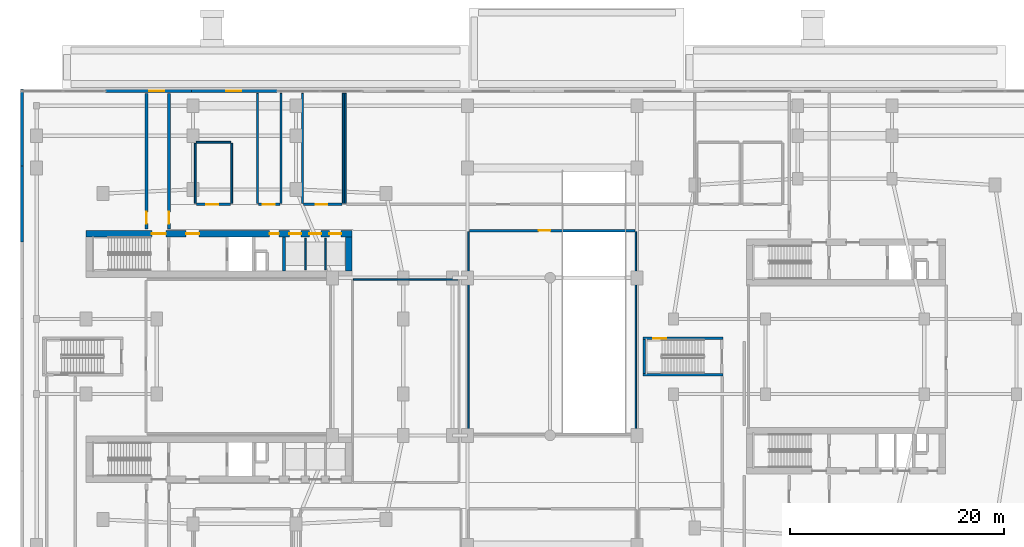
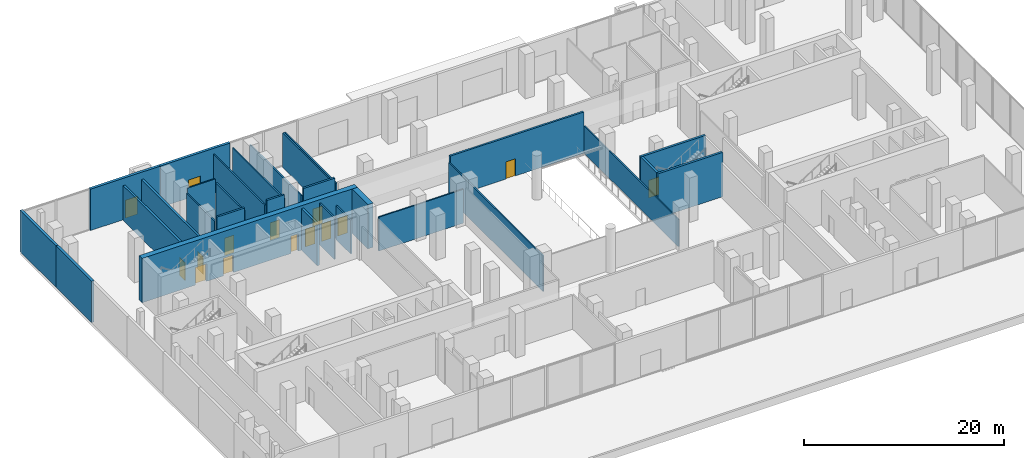
# One storey, part 14 of 24: 29 walls, 15 doors, 15 openings.
"""IFC4 building model written with IfcOpenShell, lengths in metres."""

import ifcopenshell
import ifcopenshell.guid

model = None  # the IFC model being written
_history = None  # IfcOwnerHistory: only IFC2X3 demands one
_inside = {}  # id of a spatial element -> (the spatial element, [elements in it])
_under = {}  # id of a project, library or spatial element -> (it, [spatial elements below it])
_declared = {}  # id of a project -> (the project, [libraries it declares])
_typed = {}  # id of a type object -> (the type object, [elements of that type])
_made_of = {}  # id of a material, layer set ... -> (it, [elements and type objects made of it])


def new_model(schema):
    """Start an empty IFC model of exactly this schema.

    Asked for "IFC4X3", IfcOpenShell would pick the latest addendum, in which some entities
    have other attributes; the version numbers below select the first issue.
    IFC2X3 requires an IfcOwnerHistory on every rooted entity: one is made here for all.
    """
    global model, _history
    if schema == "IFC4X3":
        model = ifcopenshell.file(schema_version=(4, 3, 0, 0))
    else:
        model = ifcopenshell.file(schema=schema)
    _inside.clear()
    _under.clear()
    _declared.clear()
    _typed.clear()
    _made_of.clear()
    _history = None
    if model.schema == "IFC2X3":
        org = make("IfcOrganization", Name="unknown")
        user = make(
            "IfcPersonAndOrganization",
            ThePerson=make("IfcPerson", FamilyName="unknown"),
            TheOrganization=org,
        )
        app = make(
            "IfcApplication",
            ApplicationDeveloper=org,
            Version="unknown",
            ApplicationFullName="unknown",
            ApplicationIdentifier="unknown",
        )
        _history = make(
            "IfcOwnerHistory",
            OwningUser=user,
            OwningApplication=app,
            ChangeAction="ADDED",
            CreationDate=0,
        )
    return model


def make(cls, **values):
    """One entity of the class cls with the attributes given. An attribute that is None is left unset."""
    return model.create_entity(
        cls, **{name: value for name, value in values.items() if value is not None}
    )


def rooted(cls, **values):
    """An entity with a GlobalId (a new one), such as an element, a storey or a relation."""
    return make(cls, GlobalId=ifcopenshell.guid.new(), OwnerHistory=_history, **values)


def si_unit(unit_type, name, prefix=None):
    """IfcSIUnit, for example si_unit("LENGTHUNIT", "METRE", prefix="MILLI")."""
    return make("IfcSIUnit", UnitType=unit_type, Prefix=prefix, Name=name)


def derived_unit(unit_type, elements):
    """IfcDerivedUnit: a product of units, each with its exponent."""
    return make(
        "IfcDerivedUnit",
        Elements=[
            make("IfcDerivedUnitElement", Unit=unit, Exponent=power)
            for unit, power in elements
        ],
        UnitType=unit_type,
    )


def assignment(units):
    """IfcUnitAssignment: the units of a project."""
    return None if units is None else make("IfcUnitAssignment", Units=units)


def point(xyz):
    """IfcCartesianPoint."""
    return None if xyz is None else make("IfcCartesianPoint", Coordinates=xyz)


def direction(xyz):
    """IfcDirection."""
    return None if xyz is None else make("IfcDirection", DirectionRatios=xyz)


def frame(location, z_axis=None, x_axis=None):
    """IfcAxis2Placement3D, a coordinate frame: its origin and axes. An axis left out is left unset."""
    return make(
        "IfcAxis2Placement3D",
        Location=point(location),
        Axis=direction(z_axis),
        RefDirection=direction(x_axis),
    )


def frame_2d(location, x_axis=None):
    """IfcAxis2Placement2D, a coordinate frame in the plane: its origin and x axis."""
    return make(
        "IfcAxis2Placement2D", Location=point(location), RefDirection=direction(x_axis)
    )


def origin():
    """The frame at (0, 0, 0) with its axes left unset."""
    return frame((0.0, 0.0, 0.0))


def place(relative_to, where):
    """IfcLocalPlacement: puts the frame where relative to a parent placement (None: the world)."""
    return make(
        "IfcLocalPlacement", PlacementRelTo=relative_to, RelativePlacement=where
    )


def context(
    kind, dimensions, precision=None, world=None, true_north=None, identifier=None
):
    """IfcGeometricRepresentationContext, for example the 3D "Model" context."""
    return make(
        "IfcGeometricRepresentationContext",
        ContextIdentifier=identifier,
        ContextType=kind,
        CoordinateSpaceDimension=dimensions,
        Precision=precision,
        WorldCoordinateSystem=world,
        TrueNorth=true_north,
    )


def subcontext(parent, identifier, kind, view, scale=None):
    """IfcGeometricRepresentationSubContext, for example "Body" below "Model"."""
    return make(
        "IfcGeometricRepresentationSubContext",
        ContextIdentifier=identifier,
        ContextType=kind,
        ParentContext=parent,
        TargetScale=scale,
        TargetView=view,
    )


def project(units=None, contexts=None):
    """IfcProject with its units and contexts."""
    return rooted(
        "IfcProject",
        Name="project",
        RepresentationContexts=contexts,
        UnitsInContext=assignment(units),
    )


def spatial(cls, under=None, at=None, **own):
    """A site, building, storey or space (cls), placed at a placement, below another one or the project."""
    s = rooted(cls, ObjectPlacement=at, **own)
    if under is not None:
        _under.setdefault(under.id(), (under, []))[1].append(s)
    return s


def profile(cls, at=None, kind="AREA", **sizes):
    """A parametric profile (cls). Its sizes go by their IFC names, for example OverallWidth=200.0."""
    return make(cls, ProfileType=kind, Position=at, **sizes)


def rectangle(**sizes):
    """IfcRectangleProfileDef."""
    return profile("IfcRectangleProfileDef", **sizes)


def extrude(swept, where, along, depth):
    """IfcExtrudedAreaSolid: the profile swept, set in the frame where, extruded along a direction by depth."""
    return make(
        "IfcExtrudedAreaSolid",
        SweptArea=swept,
        Position=where,
        ExtrudedDirection=direction(along),
        Depth=depth,
    )


def shape(context_of_items, identifier, shape_type, items):
    """IfcShapeRepresentation: the items that make up one representation, for example the "Body"."""
    return make(
        "IfcShapeRepresentation",
        ContextOfItems=context_of_items,
        RepresentationIdentifier=identifier,
        RepresentationType=shape_type,
        Items=items,
    )


def material(Name=None, Category=None):
    """IfcMaterial."""
    return make("IfcMaterial", Name=Name, Category=Category)


def layer(
    of_material, thickness, ventilated=None, Name=None, Category=None, Priority=None
):
    """IfcMaterialLayer: one layer of a wall or slab, of a material (None: an air gap)."""
    return make(
        "IfcMaterialLayer",
        Material=of_material,
        LayerThickness=thickness,
        IsVentilated=ventilated,
        Name=Name,
        Category=Category,
        Priority=Priority,
    )


def layer_set(layers, Name=None):
    """IfcMaterialLayerSet."""
    return make("IfcMaterialLayerSet", MaterialLayers=layers, LayerSetName=Name)


def made_of(thing, what):
    """Note that an element or type object is made of a material, layer set ...; save() writes the relation."""
    if what is not None:
        _made_of.setdefault(what.id(), (what, []))[1].append(thing)
    return thing


def type_object(cls, material=None, **own):
    """A type object (cls), such as IfcWallType, which elements share."""
    return made_of(rooted(cls, **own), material)


def element(
    cls,
    number,
    at=None,
    inside=None,
    cuts=None,
    type_object=None,
    material=None,
    context=None,
    identifier="Body",
    shape_type=None,
    held_by="IfcProductDefinitionShape",
    body=None,
    shapes=None,
    **own,
):
    """One element of the class cls, such as IfcWall. Its Tag is "e" and its number.

    at: its placement. inside: the storey or other place that contains it. cuts: it is an
    opening in that element (IfcRelVoidsElement). A single representation is given by context,
    identifier, shape_type and body (its items); several are given by shapes. held_by: the class
    of the entity that holds the representations. save() writes the other relations.
    """
    e = rooted(cls, Tag="e%d" % number, ObjectPlacement=at, **own)
    if body is not None:
        shapes = [shape(context, identifier, shape_type, body)]
    if shapes is not None:
        e.Representation = make(held_by, Representations=shapes)
    if inside is not None:
        _inside.setdefault(inside.id(), (inside, []))[1].append(e)
    if cuts is not None:
        rooted(
            "IfcRelVoidsElement", RelatingBuildingElement=cuts, RelatedOpeningElement=e
        )
    if type_object is not None:
        _typed.setdefault(type_object.id(), (type_object, []))[1].append(e)
    return made_of(e, material)


def fill(opening, filler):
    """IfcRelFillsElement: the door or window that sits in an opening."""
    return rooted(
        "IfcRelFillsElement",
        RelatingOpeningElement=opening,
        RelatedBuildingElement=filler,
    )


def aggregate(whole, parts):
    """IfcRelAggregates: a whole, such as a stair, and the parts it consists of."""
    return rooted("IfcRelAggregates", RelatingObject=whole, RelatedObjects=parts)


def save(model, path):
    """Write the relations noted so far, then the file.

    IfcRelAggregates (storeys below a building ...), IfcRelContainedInSpatialStructure (elements
    in a storey), IfcRelDefinesByType, IfcRelAssociatesMaterial and IfcRelDeclares: one each for
    every whole, place, type object, material and project.
    """
    for whole, parts in _under.values():
        aggregate(whole, parts)
    for where, things in _inside.values():
        rooted(
            "IfcRelContainedInSpatialStructure",
            RelatedElements=things,
            RelatingStructure=where,
        )
    for kind, things in _typed.values():
        rooted("IfcRelDefinesByType", RelatedObjects=things, RelatingType=kind)
    for what, things in _made_of.values():
        rooted("IfcRelAssociatesMaterial", RelatedObjects=things, RelatingMaterial=what)
    for by, libraries in _declared.values():
        rooted("IfcRelDeclares", RelatingContext=by, RelatedDefinitions=libraries)
    model.write(path)


model = new_model("IFC4")

# Units and contexts
model_context = context("Model", 3, precision=1e-05, world=origin(), true_north=direction((0.0, 1.0)))
body_context = subcontext(model_context, "Body", "Model", "MODEL_VIEW")
ifc_project = project(units=[si_unit("LENGTHUNIT", "METRE"), si_unit("AREAUNIT", "SQUARE_METRE"), si_unit("VOLUMEUNIT", "CUBIC_METRE"), si_unit("PLANEANGLEUNIT", "RADIAN"), si_unit("MASSUNIT", "GRAM", prefix="KILO"), derived_unit("THERMALTRANSMITTANCEUNIT", [(si_unit("POWERUNIT", "WATT"), 1), (si_unit("LENGTHUNIT", "METRE"), -2), (si_unit("THERMODYNAMICTEMPERATUREUNIT", "KELVIN"), -1)])], contexts=[model_context])

# Site, building, storey
site_placement = place(None, origin())
site = spatial("IfcSite", under=ifc_project, at=site_placement, CompositionType="ELEMENT")
building_placement = place(site_placement, origin())
building = spatial("IfcBuilding", under=site, at=building_placement, Name="Kivonza Crest Hotel", CompositionType="ELEMENT")
storey_placement = place(building_placement, origin())
storey = spatial("IfcBuildingStorey", under=building, at=storey_placement, Name="L00", CompositionType="ELEMENT", Elevation=0.0)

# Wall, opening, door
ifc_material_1 = material(Name="Autoclaved aerated concrete blockwork", Category="masonry")
ifc_layer_1 = layer(ifc_material_1, 0.219970703125)
ifc_layer_set_1 = layer_set([ifc_layer_1], Name="Autoclaved aerated concrete blockwork")
wall_type_1 = type_object("IfcWallType", Name="WL-ACOU-220", PredefinedType="SOLIDWALL", material=ifc_layer_set_1)
wall_1_placement = place(storey_placement, frame((22.300048828125, 39.199951171875, 0.0), z_axis=(0.0, 0.0, 1.0), x_axis=(1.0, 0.0, 0.0)))
wall_1 = element("IfcWall", 1, at=wall_1_placement, inside=storey, type_object=wall_type_1, Name="L00 interior partition WA-L00-FCR-S", PredefinedType="SOLIDWALL", context=body_context, shape_type="SweptSolid", body=[
    extrude(rectangle(XDim=2.0, YDim=0.219970703125, at=frame_2d((1.0, 0.0))), origin(), (0.0, 0.0, 1.0), 5.050048828125),
])
opening_1_placement = place(wall_1_placement, frame((0.39501953125, 0.0, 0.0)))
opening_1 = element("IfcOpeningElement", 2, at=opening_1_placement, cuts=wall_1, Name="Opening DF-120", PredefinedType="OPENING", context=body_context, shape_type="SweptSolid", body=[
    extrude(rectangle(XDim=1.10009765625, YDim=2.14990234375, at=frame_2d((0.550048828125, 1.074951171875))), frame((0.0, 0.1201171875, 0.0), z_axis=(0.0, -1.0, 0.0), x_axis=(1.0, 0.0, 0.0)), (0.0, 0.0, 1.0), 0.239990234375),
])
ifc_material_2 = material(Name="Galvanised steel", Category="steel")
door_type_1 = type_object("IfcDoorType", Name="DR-FD120-1100", OperationType="NOTDEFINED", PredefinedType="DOOR", material=ifc_material_2)
door_1_placement = place(opening_1_placement, origin())
door_1 = element("IfcDoor", 3, at=door_1_placement, inside=storey, type_object=door_type_1, Name="L00 Fire Command Room door", OperationType="SINGLE_SWING_RIGHT", OverallHeight=2.14990234375, OverallWidth=1.10009765625, PredefinedType="DOOR", context=body_context, shape_type="SweptSolid", body=[
    extrude(rectangle(XDim=1.10009765625, YDim=2.14990234375, at=frame_2d((0.550048828125, 1.074951171875))), frame((0.0, 0.02490234375, 0.0), z_axis=(0.0, -1.0, 0.0), x_axis=(1.0, 0.0, 0.0)), (0.0, 0.0, 1.0), 0.050048828125),
])
fill(opening_1, door_1)

wall_2_placement = place(storey_placement, frame((42.0, 36.75, 0.0), z_axis=(0.0, 0.0, 1.0), x_axis=(1.0, 0.0, 0.0)))
wall_2 = element("IfcWall", 4, at=wall_2_placement, inside=storey, type_object=wall_type_1, Name="L00 interior partition WA-L00-CONC-M-N", PredefinedType="SOLIDWALL", context=body_context, shape_type="SweptSolid", body=[
    extrude(rectangle(XDim=15.39990234375, YDim=0.219970703125, at=frame_2d((7.699951171875, 0.0))), origin(), (0.0, 0.0, 1.0), 5.050048828125),
])
opening_2_placement = place(wall_2_placement, frame((6.425048828125, 0.0, 0.0)))
opening_2 = element("IfcOpeningElement", 5, at=opening_2_placement, cuts=wall_2, Name="Opening DF-60M", PredefinedType="OPENING", context=body_context, shape_type="SweptSolid", body=[
    extrude(rectangle(XDim=1.10009765625, YDim=2.10009765625, at=frame_2d((0.550048828125, 1.050048828125))), frame((0.0, 0.1201171875, 0.0), z_axis=(0.0, -1.0, 0.0), x_axis=(1.0, 0.0, 0.0)), (0.0, 0.0, 1.0), 0.239990234375),
])
ifc_material_3 = material(Name="Hardwood timber oak", Category="wood")
door_type_2 = type_object("IfcDoorType", Name="DR-FD60-1100", OperationType="NOTDEFINED", PredefinedType="DOOR", material=ifc_material_3)
door_2_placement = place(opening_2_placement, frame((1.10009765625, 0.0, 0.0), z_axis=(0.0, 0.0, 1.0), x_axis=(-1.0, 0.0, 0.0)))
door_2 = element("IfcDoor", 6, at=door_2_placement, inside=storey, type_object=door_type_2, Name="L00 Podium Central Retail Concourse door", OperationType="SINGLE_SWING_RIGHT", OverallHeight=2.10009765625, OverallWidth=1.10009765625, PredefinedType="DOOR", context=body_context, shape_type="SweptSolid", body=[
    extrude(rectangle(XDim=1.10009765625, YDim=2.10009765625, at=frame_2d((0.550048828125, 1.050048828125))), frame((0.0, 0.02490234375, 0.0), z_axis=(0.0, -1.0, 0.0), x_axis=(1.0, 0.0, 0.0)), (0.0, 0.0, 1.0), 0.050048828125),
])
fill(opening_2, door_2)

wall_3_placement = place(storey_placement, frame((26.5, 39.199951171875, 0.0), z_axis=(0.0, 0.0, 1.0), x_axis=(1.0, 0.0, 0.0)))
wall_3 = element("IfcWall", 7, at=wall_3_placement, inside=storey, type_object=wall_type_1, Name="L00 interior partition WA-L00-LUG-S", PredefinedType="SOLIDWALL", context=body_context, shape_type="SweptSolid", body=[
    extrude(rectangle(XDim=3.60009765625, YDim=0.219970703125, at=frame_2d((1.800048828125, 0.0))), origin(), (0.0, 0.0, 1.0), 5.050048828125),
])
opening_3_placement = place(wall_3_placement, frame((1.114990234375, 0.0, 0.0)))
opening_3 = element("IfcOpeningElement", 8, at=opening_3_placement, cuts=wall_3, Name="Opening DF-60M", PredefinedType="OPENING", context=body_context, shape_type="SweptSolid", body=[
    extrude(rectangle(XDim=1.10009765625, YDim=2.10009765625, at=frame_2d((0.550048828125, 1.050048828125))), frame((0.0, 0.1201171875, 0.0), z_axis=(0.0, -1.0, 0.0), x_axis=(1.0, 0.0, 0.0)), (0.0, 0.0, 1.0), 0.239990234375),
])
door_3_placement = place(opening_3_placement, origin())
door_3 = element("IfcDoor", 9, at=door_3_placement, inside=storey, type_object=door_type_2, Name="L00 Concierge and Luggage Room door", OperationType="SINGLE_SWING_RIGHT", OverallHeight=2.10009765625, OverallWidth=1.10009765625, PredefinedType="DOOR", context=body_context, shape_type="SweptSolid", body=[
    extrude(rectangle(XDim=1.10009765625, YDim=2.10009765625, at=frame_2d((0.550048828125, 1.050048828125))), frame((0.0, 0.02490234375, 0.0), z_axis=(0.0, -1.0, 0.0), x_axis=(1.0, 0.0, 0.0)), (0.0, 0.0, 1.0), 0.050048828125),
])
fill(opening_3, door_3)

wall_4_placement = place(storey_placement, frame((16.5, 39.199951171875, 0.0), z_axis=(0.0, 0.0, 1.0), x_axis=(1.0, 0.0, 0.0)))
wall_4 = element("IfcWall", 10, at=wall_4_placement, inside=storey, type_object=wall_type_1, Name="L00 interior partition WA-L00-AWC-S", PredefinedType="SOLIDWALL", context=body_context, shape_type="SweptSolid", body=[
    extrude(rectangle(XDim=3.199951171875, YDim=0.219970703125, at=frame_2d((1.60009765625, 0.0))), origin(), (0.0, 0.0, 1.0), 5.050048828125),
])
opening_4_placement = place(wall_4_placement, frame((0.93505859375, 0.0, 0.0)))
opening_4 = element("IfcOpeningElement", 11, at=opening_4_placement, cuts=wall_4, Name="Opening DF-60M", PredefinedType="OPENING", context=body_context, shape_type="SweptSolid", body=[
    extrude(rectangle(XDim=1.10009765625, YDim=2.10009765625, at=frame_2d((0.550048828125, 1.050048828125))), frame((0.0, 0.1201171875, 0.0), z_axis=(0.0, -1.0, 0.0), x_axis=(1.0, 0.0, 0.0)), (0.0, 0.0, 1.0), 0.239990234375),
])
door_4_placement = place(opening_4_placement, origin())
door_4 = element("IfcDoor", 12, at=door_4_placement, inside=storey, type_object=door_type_2, Name="L00 Ground Public Accessible WC door", OperationType="SINGLE_SWING_LEFT", OverallHeight=2.10009765625, OverallWidth=1.10009765625, PredefinedType="DOOR", context=body_context, shape_type="SweptSolid", body=[
    extrude(rectangle(XDim=1.10009765625, YDim=2.10009765625, at=frame_2d((0.550048828125, 1.050048828125))), frame((0.0, 0.02490234375, 0.0), z_axis=(0.0, -1.0, 0.0), x_axis=(1.0, 0.0, 0.0)), (0.0, 0.0, 1.0), 0.050048828125),
])
fill(opening_4, door_4)

# Wall, openings, doors
ifc_material_4 = material(Name="Concrete C60/75", Category="concrete")
ifc_layer_2 = layer(ifc_material_4, 0.60009765625)
ifc_layer_set_2 = layer_set([ifc_layer_2], Name="Concrete C60/75")
wall_type_2 = type_object("IfcWallType", Name="WL-CORE-600", PredefinedType="SHEAR", material=ifc_layer_set_2)
wall_5_placement = place(storey_placement, frame((6.199951171875, 36.4599609375, 0.0), z_axis=(0.0, 0.0, 1.0), x_axis=(1.0, 0.0, 0.0)))
wall_5 = element("IfcWall", 13, at=wall_5_placement, inside=storey, type_object=wall_type_2, Name="Core wall T1-N North L00", PredefinedType="SHEAR", context=body_context, shape_type="SweptSolid", body=[
    extrude(rectangle(XDim=24.800048828125, YDim=0.60009765625, at=frame_2d((12.39990234375, 0.0))), origin(), (0.0, 0.0, 1.0), 5.39990234375),
])
opening_5_placement = place(wall_5_placement, frame((9.35009765625, 0.0, 0.0)))
opening_5 = element("IfcOpeningElement", 14, at=opening_5_placement, cuts=wall_5, Name="Opening DF-60", PredefinedType="OPENING", context=body_context, shape_type="SweptSolid", body=[
    extrude(rectangle(XDim=1.199951171875, YDim=2.14990234375, at=frame_2d((0.60009765625, 1.074951171875))), frame((0.0, 0.31005859375, 0.0), z_axis=(0.0, -1.0, 0.0), x_axis=(1.0, 0.0, 0.0)), (0.0, 0.0, 1.0), 0.6201171875),
])
opening_6_placement = place(wall_5_placement, frame((6.14990234375, 0.0, 0.0)))
opening_6 = element("IfcOpeningElement", 15, at=opening_6_placement, cuts=wall_5, Name="Opening DF-120D", PredefinedType="OPENING", context=body_context, shape_type="SweptSolid", body=[
    extrude(rectangle(XDim=1.300048828125, YDim=2.14990234375, at=frame_2d((0.64990234375, 1.074951171875))), frame((0.0, 0.31005859375, 0.0), z_axis=(0.0, -1.0, 0.0), x_axis=(1.0, 0.0, 0.0)), (0.0, 0.0, 1.0), 0.6201171875),
])
opening_7_placement = place(wall_5_placement, frame((17.139892578125, 0.0, 0.0)))
opening_7 = element("IfcOpeningElement", 16, at=opening_7_placement, cuts=wall_5, Name="Opening DF-60R", PredefinedType="OPENING", context=body_context, shape_type="SweptSolid", body=[
    extrude(rectangle(XDim=0.85009765625, YDim=2.10009765625, at=frame_2d((0.425048828125, 1.050048828125))), frame((0.0, 0.31005859375, 0.0), z_axis=(0.0, -1.0, 0.0), x_axis=(1.0, 0.0, 0.0)), (0.0, 0.0, 1.0), 0.6201171875),
])
opening_8_placement = place(wall_5_placement, frame((18.98291015625, 0.0, 0.0)))
opening_8 = element("IfcOpeningElement", 17, at=opening_8_placement, cuts=wall_5, Name="Opening LD-120", PredefinedType="OPENING", context=body_context, shape_type="SweptSolid", body=[
    extrude(rectangle(XDim=1.10009765625, YDim=2.14990234375, at=frame_2d((0.550048828125, 1.074951171875))), frame((0.0, 0.31005859375, 0.0), z_axis=(0.0, -1.0, 0.0), x_axis=(1.0, 0.0, 0.0)), (0.0, 0.0, 1.0), 0.6201171875),
])
opening_9_placement = place(wall_5_placement, frame((20.85009765625, 0.0, 0.0)))
opening_9 = element("IfcOpeningElement", 18, at=opening_9_placement, cuts=wall_5, Name="Opening LD-120", PredefinedType="OPENING", context=body_context, shape_type="SweptSolid", body=[
    extrude(rectangle(XDim=1.10009765625, YDim=2.14990234375, at=frame_2d((0.550048828125, 1.074951171875))), frame((0.0, 0.31005859375, 0.0), z_axis=(0.0, -1.0, 0.0), x_axis=(1.0, 0.0, 0.0)), (0.0, 0.0, 1.0), 0.6201171875),
])
opening_10_placement = place(wall_5_placement, frame((22.716064453125, 0.0, 0.0)))
opening_10 = element("IfcOpeningElement", 19, at=opening_10_placement, cuts=wall_5, Name="Opening LD-120", PredefinedType="OPENING", context=body_context, shape_type="SweptSolid", body=[
    extrude(rectangle(XDim=1.10009765625, YDim=2.14990234375, at=frame_2d((0.550048828125, 1.074951171875))), frame((0.0, 0.31005859375, 0.0), z_axis=(0.0, -1.0, 0.0), x_axis=(1.0, 0.0, 0.0)), (0.0, 0.0, 1.0), 0.6201171875),
])
door_type_3 = type_object("IfcDoorType", Name="DR-FD120-1300", OperationType="NOTDEFINED", PredefinedType="DOOR", material=ifc_material_2)
door_5_placement = place(opening_6_placement, origin())
door_5 = element("IfcDoor", 20, at=door_5_placement, inside=storey, type_object=door_type_3, Name="L00 T1-N stair exit discharge fire door", OperationType="DOUBLE_DOOR_SINGLE_SWING", OverallHeight=2.14990234375, OverallWidth=1.300048828125, PredefinedType="DOOR", context=body_context, shape_type="SweptSolid", body=[
    extrude(rectangle(XDim=1.300048828125, YDim=2.14990234375, at=frame_2d((0.64990234375, 1.074951171875))), frame((0.0, 0.02490234375, 0.0), z_axis=(0.0, -1.0, 0.0), x_axis=(1.0, 0.0, 0.0)), (0.0, 0.0, 1.0), 0.050048828125),
])
fill(opening_6, door_5)
door_type_4 = type_object("IfcDoorType", Name="DR-FD60-1200", OperationType="NOTDEFINED", PredefinedType="DOOR", material=ifc_material_3)
door_6_placement = place(opening_5_placement, origin())
door_6 = element("IfcDoor", 21, at=door_6_placement, inside=storey, type_object=door_type_4, Name="L00 T1-N firefighting lobby fire door", OperationType="SINGLE_SWING_RIGHT", OverallHeight=2.14990234375, OverallWidth=1.199951171875, PredefinedType="DOOR", context=body_context, shape_type="SweptSolid", body=[
    extrude(rectangle(XDim=1.199951171875, YDim=2.14990234375, at=frame_2d((0.60009765625, 1.074951171875))), frame((0.0, 0.02490234375, 0.0), z_axis=(0.0, -1.0, 0.0), x_axis=(1.0, 0.0, 0.0)), (0.0, 0.0, 1.0), 0.050048828125),
])
fill(opening_5, door_6)
door_type_5 = type_object("IfcDoorType", Name="DR-FD60-850", OperationType="NOTDEFINED", PredefinedType="DOOR", material=ifc_material_3)
door_7_placement = place(opening_7_placement, origin())
door_7 = element("IfcDoor", 22, at=door_7_placement, inside=storey, type_object=door_type_5, Name="L00 T1-N core room door", OperationType="SINGLE_SWING_RIGHT", OverallHeight=2.10009765625, OverallWidth=0.85009765625, PredefinedType="DOOR", context=body_context, shape_type="SweptSolid", body=[
    extrude(rectangle(XDim=0.85009765625, YDim=2.10009765625, at=frame_2d((0.425048828125, 1.050048828125))), frame((0.0, 0.02490234375, 0.0), z_axis=(0.0, -1.0, 0.0), x_axis=(1.0, 0.0, 0.0)), (0.0, 0.0, 1.0), 0.050048828125),
])
fill(opening_7, door_7)
ifc_material_5 = material(Name="Stainless steel", Category="steel")
door_type_6 = type_object("IfcDoorType", Name="DR-LD120-1100", OperationType="NOTDEFINED", PredefinedType="DOOR", material=ifc_material_5)
door_8_placement = place(opening_8_placement, origin())
door_8 = element("IfcDoor", 23, at=door_8_placement, inside=storey, type_object=door_type_6, Name="L00 PL-T1-L1 passenger lift sliding landing door", OperationType="DOUBLE_DOOR_SLIDING", OverallHeight=2.14990234375, OverallWidth=1.10009765625, PredefinedType="DOOR", context=body_context, shape_type="SweptSolid", body=[
    extrude(rectangle(XDim=1.10009765625, YDim=2.14990234375, at=frame_2d((0.550048828125, 1.074951171875))), frame((0.0, 0.02490234375, 0.0), z_axis=(0.0, -1.0, 0.0), x_axis=(1.0, 0.0, 0.0)), (0.0, 0.0, 1.0), 0.050048828125),
])
fill(opening_8, door_8)
door_9_placement = place(opening_9_placement, origin())
door_9 = element("IfcDoor", 24, at=door_9_placement, inside=storey, type_object=door_type_6, Name="L00 PL-T1-L2 passenger lift sliding landing door", OperationType="DOUBLE_DOOR_SLIDING", OverallHeight=2.14990234375, OverallWidth=1.10009765625, PredefinedType="DOOR", context=body_context, shape_type="SweptSolid", body=[
    extrude(rectangle(XDim=1.10009765625, YDim=2.14990234375, at=frame_2d((0.550048828125, 1.074951171875))), frame((0.0, 0.02490234375, 0.0), z_axis=(0.0, -1.0, 0.0), x_axis=(1.0, 0.0, 0.0)), (0.0, 0.0, 1.0), 0.050048828125),
])
fill(opening_9, door_9)
door_10_placement = place(opening_10_placement, origin())
door_10 = element("IfcDoor", 25, at=door_10_placement, inside=storey, type_object=door_type_6, Name="L00 PL-T1-L3 passenger lift sliding landing door", OperationType="DOUBLE_DOOR_SLIDING", OverallHeight=2.14990234375, OverallWidth=1.10009765625, PredefinedType="DOOR", context=body_context, shape_type="SweptSolid", body=[
    extrude(rectangle(XDim=1.10009765625, YDim=2.14990234375, at=frame_2d((0.550048828125, 1.074951171875))), frame((0.0, 0.02490234375, 0.0), z_axis=(0.0, -1.0, 0.0), x_axis=(1.0, 0.0, 0.0)), (0.0, 0.0, 1.0), 0.050048828125),
])
fill(opening_10, door_10)

# Wall
wall_6_placement = place(storey_placement, frame((30.699951171875, 33.0, 0.0), z_axis=(0.0, 0.0, 1.0), x_axis=(0.0, 1.0, 0.0)))
element("IfcWall", 26, at=wall_6_placement, inside=storey, type_object=wall_type_2, Name="Core wall T1-N East L00", PredefinedType="SHEAR", context=body_context, shape_type="SweptSolid", body=[
    extrude(rectangle(XDim=3.159912109375, YDim=0.60009765625, at=frame_2d((1.580078125, 0.0))), origin(), (0.0, 0.0, 1.0), 5.39990234375),
])

# Wall, opening, door
ifc_material_6 = material(Name="Precast concrete C40/50", Category="concrete")
ifc_layer_3 = layer(ifc_material_6, 0.300048828125)
ifc_layer_set_3 = layer_set([ifc_layer_3], Name="Precast concrete C40/50")
wall_type_3 = type_object("IfcWallType", Name="WL-EXT-300", PredefinedType="STANDARD", material=ifc_layer_set_3)
wall_7_placement = place(storey_placement, frame((24.094970703125, 49.77001953125, 0.0), z_axis=(0.0, 0.0, 1.0), x_axis=(-1.0, 0.0, 0.0)))
wall_7 = element("IfcWall", 27, at=wall_7_placement, inside=storey, type_object=wall_type_3, Name="L00 POD exterior insulated wall 29", PredefinedType="STANDARD", context=body_context, shape_type="SweptSolid", body=[
    extrude(rectangle(XDim=8.050048828125, YDim=0.300048828125, at=frame_2d((4.02490234375, 0.0))), origin(), (0.0, 0.0, 1.0), 5.050048828125),
])
opening_11_placement = place(wall_7_placement, frame((3.39501953125, 0.0, 0.0)))
opening_11 = element("IfcOpeningElement", 28, at=opening_11_placement, cuts=wall_7, Name="Opening DF-120E", PredefinedType="OPENING", context=body_context, shape_type="SweptSolid", body=[
    extrude(rectangle(XDim=1.39990234375, YDim=2.199951171875, at=frame_2d((0.699951171875, 1.10009765625))), frame((0.0, 0.16015625, 0.0), z_axis=(0.0, -1.0, 0.0), x_axis=(1.0, 0.0, 0.0)), (0.0, 0.0, 1.0), 0.320068359375),
])
ifc_material_7 = material(Name="Anodised bronze aluminium and laminated safety glass", Category="aluminium")
door_type_7 = type_object("IfcDoorType", Name="DR-EXT-EXIT-1400", OperationType="NOTDEFINED", PredefinedType="DOOR", material=ifc_material_7)
door_11_placement = place(opening_11_placement, frame((1.39990234375, 0.0, 0.0), z_axis=(0.0, 0.0, 1.0), x_axis=(-1.0, 0.0, 0.0)))
door_11 = element("IfcDoor", 29, at=door_11_placement, inside=storey, type_object=door_type_7, Name="L00 Fire Command Room exterior fire-service entrance door", OperationType="DOUBLE_DOOR_SINGLE_SWING", OverallHeight=2.199951171875, OverallWidth=1.39990234375, PredefinedType="DOOR", context=body_context, shape_type="SweptSolid", body=[
    extrude(rectangle(XDim=1.39990234375, YDim=2.199951171875, at=frame_2d((0.699951171875, 1.10009765625))), frame((0.0, 0.02490234375, 0.0), z_axis=(0.0, -1.0, 0.0), x_axis=(1.0, 0.0, 0.0)), (0.0, 0.0, 1.0), 0.050048828125),
])
fill(opening_11, door_11)

wall_8_placement = place(storey_placement, frame((16.06103515625, 49.77001953125, 0.0), z_axis=(0.0, 0.0, 1.0), x_axis=(-1.0, 0.0, 0.0)))
wall_8 = element("IfcWall", 30, at=wall_8_placement, inside=storey, type_object=wall_type_3, Name="L00 POD exterior insulated wall 30", PredefinedType="STANDARD", context=body_context, shape_type="SweptSolid", body=[
    extrude(rectangle(XDim=8.049072265625, YDim=0.300048828125, at=frame_2d((4.0244140625, 0.0))), origin(), (0.0, 0.0, 1.0), 5.050048828125),
])
opening_12_placement = place(wall_8_placement, frame((2.56103515625, 0.0, 0.0)))
opening_12 = element("IfcOpeningElement", 31, at=opening_12_placement, cuts=wall_8, Name="Opening DF-120E", PredefinedType="OPENING", context=body_context, shape_type="SweptSolid", body=[
    extrude(rectangle(XDim=1.39990234375, YDim=2.199951171875, at=frame_2d((0.699951171875, 1.10009765625))), frame((0.0, 0.16015625, 0.0), z_axis=(0.0, -1.0, 0.0), x_axis=(1.0, 0.0, 0.0)), (0.0, 0.0, 1.0), 0.320068359375),
])
door_12_placement = place(opening_12_placement, frame((1.39990234375, 0.0, 0.0), z_axis=(0.0, 0.0, 1.0), x_axis=(-1.0, 0.0, 0.0)))
door_12 = element("IfcDoor", 32, at=door_12_placement, inside=storey, type_object=door_type_7, Name="L00 T1 North Protected Exit Passage final exit door", OperationType="DOUBLE_DOOR_SINGLE_SWING", OverallHeight=2.199951171875, OverallWidth=1.39990234375, PredefinedType="DOOR", context=body_context, shape_type="SweptSolid", body=[
    extrude(rectangle(XDim=1.39990234375, YDim=2.199951171875, at=frame_2d((0.699951171875, 1.10009765625))), frame((0.0, 0.02490234375, 0.0), z_axis=(0.0, -1.0, 0.0), x_axis=(1.0, 0.0, 0.0)), (0.0, 0.0, 1.0), 0.050048828125),
])
fill(opening_12, door_12)

# Walls
wall_9_placement = place(storey_placement, frame((0.22998046875, 49.97509765625, 0.0), z_axis=(0.0, 0.0, 1.0), x_axis=(0.0, -1.0, 0.0)))
element("IfcWall", 33, at=wall_9_placement, inside=storey, type_object=wall_type_3, Name="L00 POD exterior insulated wall 32", PredefinedType="STANDARD", context=body_context, shape_type="SweptSolid", body=[
    extrude(rectangle(XDim=7.18310546875, YDim=0.300048828125, at=frame_2d((3.591552734375, 0.0))), origin(), (0.0, 0.0, 1.0), 5.050048828125),
])
wall_10_placement = place(storey_placement, frame((0.22998046875, 42.80810546875, 0.0), z_axis=(0.0, 0.0, 1.0), x_axis=(0.0, -1.0, 0.0)))
element("IfcWall", 34, at=wall_10_placement, inside=storey, type_object=wall_type_3, Name="L00 POD exterior insulated wall 33", PredefinedType="STANDARD", context=body_context, shape_type="SweptSolid", body=[
    extrude(rectangle(XDim=7.135986328125, YDim=0.300048828125, at=frame_2d((3.56787109375, 0.0))), origin(), (0.0, 0.0, 1.0), 5.050048828125),
])

# Wall, opening, door
ifc_material_8 = material(Name="Concrete blockwork fire-compartment wall", Category="masonry")
ifc_layer_4 = layer(ifc_material_8, 0.25)
ifc_layer_set_4 = layer_set([ifc_layer_4], Name="Concrete blockwork fire-compartment wall")
wall_type_4 = type_object("IfcWallType", Name="WL-FIRE-250", PredefinedType="SOLIDWALL", material=ifc_layer_set_4)
wall_11_placement = place(storey_placement, frame((11.85009765625, 36.89990234375, 0.0), z_axis=(0.0, 0.0, 1.0), x_axis=(0.0, 1.0, 0.0)))
wall_11 = element("IfcWall", 35, at=wall_11_placement, inside=storey, type_object=wall_type_4, Name="L00 interior partition WA-L00-EX-T1N-W", PredefinedType="SOLIDWALL", context=body_context, shape_type="SweptSolid", body=[
    extrude(rectangle(XDim=12.650146484375, YDim=0.25, at=frame_2d((6.3251953125, 0.0))), origin(), (0.0, 0.0, 1.0), 4.22509765625),
])
opening_13_placement = place(wall_11_placement, frame((0.5, 0.0, 0.0)))
opening_13 = element("IfcOpeningElement", 36, at=opening_13_placement, cuts=wall_11, Name="Opening DF-120", PredefinedType="OPENING", context=body_context, shape_type="SweptSolid", body=[
    extrude(rectangle(XDim=1.10009765625, YDim=2.14990234375, at=frame_2d((0.550048828125, 1.074951171875))), frame((0.0, 0.135009765625, 0.0), z_axis=(0.0, -1.0, 0.0), x_axis=(1.0, 0.0, 0.0)), (0.0, 0.0, 1.0), 0.27001953125),
])
door_13_placement = place(opening_13_placement, frame((1.10009765625, 0.0, 0.0), z_axis=(0.0, 0.0, 1.0), x_axis=(-1.0, 0.0, 0.0)))
door_13 = element("IfcDoor", 37, at=door_13_placement, inside=storey, type_object=door_type_1, Name="L00 T1 North Protected Exit Passage west lobby door", OperationType="SINGLE_SWING_LEFT", OverallHeight=2.14990234375, OverallWidth=1.10009765625, PredefinedType="DOOR", context=body_context, shape_type="SweptSolid", body=[
    extrude(rectangle(XDim=1.10009765625, YDim=2.14990234375, at=frame_2d((0.550048828125, 1.074951171875))), frame((0.0, 0.02490234375, 0.0), z_axis=(0.0, -1.0, 0.0), x_axis=(1.0, 0.0, 0.0)), (0.0, 0.0, 1.0), 0.050048828125),
])
fill(opening_13, door_13)

wall_12_placement = place(storey_placement, frame((13.949951171875, 36.89990234375, 0.0), z_axis=(0.0, 0.0, 1.0), x_axis=(0.0, 1.0, 0.0)))
wall_12 = element("IfcWall", 38, at=wall_12_placement, inside=storey, type_object=wall_type_4, Name="L00 interior partition WA-L00-EX-T1N-E", PredefinedType="SOLIDWALL", context=body_context, shape_type="SweptSolid", body=[
    extrude(rectangle(XDim=12.650146484375, YDim=0.25, at=frame_2d((6.3251953125, 0.0))), origin(), (0.0, 0.0, 1.0), 4.22509765625),
])
opening_14_placement = place(wall_12_placement, frame((0.5, 0.0, 0.0)))
opening_14 = element("IfcOpeningElement", 39, at=opening_14_placement, cuts=wall_12, Name="Opening DF-120", PredefinedType="OPENING", context=body_context, shape_type="SweptSolid", body=[
    extrude(rectangle(XDim=1.10009765625, YDim=2.14990234375, at=frame_2d((0.550048828125, 1.074951171875))), frame((0.0, 0.135009765625, 0.0), z_axis=(0.0, -1.0, 0.0), x_axis=(1.0, 0.0, 0.0)), (0.0, 0.0, 1.0), 0.27001953125),
])
door_14_placement = place(opening_14_placement, origin())
door_14 = element("IfcDoor", 40, at=door_14_placement, inside=storey, type_object=door_type_1, Name="L00 T1 North Protected Exit Passage east lobby door", OperationType="SINGLE_SWING_RIGHT", OverallHeight=2.14990234375, OverallWidth=1.10009765625, PredefinedType="DOOR", context=body_context, shape_type="SweptSolid", body=[
    extrude(rectangle(XDim=1.10009765625, YDim=2.14990234375, at=frame_2d((0.550048828125, 1.074951171875))), frame((0.0, 0.02490234375, 0.0), z_axis=(0.0, -1.0, 0.0), x_axis=(1.0, 0.0, 0.0)), (0.0, 0.0, 1.0), 0.050048828125),
])
fill(opening_14, door_14)

# Walls
ifc_material_9 = material(Name="Twin-stud acoustic gypsum board partition", Category="gypsum")
ifc_layer_5 = layer(ifc_material_9, 0.14990234375)
ifc_layer_set_5 = layer_set([ifc_layer_5], Name="Twin-stud acoustic gypsum board partition")
wall_type_5 = type_object("IfcWallType", Name="WL-PART-150", PredefinedType="PARTITIONING", material=ifc_layer_set_5)
wall_13_placement = place(storey_placement, frame((26.6669921875, 33.10009765625, 0.0), z_axis=(0.0, 0.0, 1.0), x_axis=(0.0, 1.0, 0.0)))
element("IfcWall", 41, at=wall_13_placement, inside=storey, type_object=wall_type_5, Name="L00 interior partition WP-L00-T1-N-BSH-1", PredefinedType="PARTITIONING", context=body_context, shape_type="SweptSolid", body=[
    extrude(rectangle(XDim=2.9599609375, YDim=0.14990234375, at=frame_2d((1.47998046875, 0.0))), origin(), (0.0, 0.0, 1.0), 5.050048828125),
])
wall_14_placement = place(storey_placement, frame((28.532958984375, 33.10009765625, 0.0), z_axis=(0.0, 0.0, 1.0), x_axis=(0.0, 1.0, 0.0)))
element("IfcWall", 42, at=wall_14_placement, inside=storey, type_object=wall_type_5, Name="L00 interior partition WP-L00-T1-N-BSH-2", PredefinedType="PARTITIONING", context=body_context, shape_type="SweptSolid", body=[
    extrude(rectangle(XDim=2.9599609375, YDim=0.14990234375, at=frame_2d((1.47998046875, 0.0))), origin(), (0.0, 0.0, 1.0), 4.125),
])
for number, where, z_axis, x_axis, name in (
    (43, (22.199951171875, 39.300048828125, 0.0), (0.0, 0.0, 1.0), (0.0, 1.0, 0.0), "L00 interior partition WP-L00-FCR-BW"),
    (44, (24.39990234375, 39.300048828125, 0.0), (0.0, 0.0, 1.0), (0.0, 1.0, 0.0), "L00 interior partition WP-L00-FCR-BE"),
):
    element("IfcWall", number, at=place(storey_placement, frame(where, z_axis=z_axis, x_axis=x_axis)), inside=storey, type_object=wall_type_5, Name=name, PredefinedType="PARTITIONING", context=body_context, shape_type="SweptSolid", body=[
        extrude(rectangle(XDim=10.25, YDim=0.14990234375, at=frame_2d((5.125, 0.0))), origin(), (0.0, 0.0, 1.0), 4.425048828125),
    ])
wall_15_placement = place(storey_placement, frame((31.14990234375, 32.199951171875, 0.0), z_axis=(0.0, 0.0, 1.0), x_axis=(1.0, 0.0, 0.0)))
element("IfcWall", 45, at=wall_15_placement, inside=storey, type_object=wall_type_5, Name="L00 interior partition WP-L00-HTL-LNG-BN", PredefinedType="PARTITIONING", context=body_context, shape_type="SweptSolid", body=[
    extrude(rectangle(XDim=9.75, YDim=0.14990234375, at=frame_2d((4.875, 0.0))), origin(), (0.0, 0.0, 1.0), 4.125),
])
wall_16_placement = place(storey_placement, frame((41.89990234375, 17.85009765625, 0.0), z_axis=(0.0, 0.0, 1.0), x_axis=(0.0, 1.0, 0.0)))
element("IfcWall", 46, at=wall_16_placement, inside=storey, type_object=wall_type_5, Name="L00 interior partition WP-L00-CONC-M-BW", PredefinedType="PARTITIONING", context=body_context, shape_type="SweptSolid", body=[
    extrude(rectangle(XDim=18.7998046875, YDim=0.14990234375, at=frame_2d((9.39990234375, 0.0))), origin(), (0.0, 0.0, 1.0), 4.324951171875),
])
wall_17_placement = place(storey_placement, frame((57.5, 17.85009765625, 0.0), z_axis=(0.0, 0.0, 1.0), x_axis=(0.0, 1.0, 0.0)))
element("IfcWall", 47, at=wall_17_placement, inside=storey, type_object=wall_type_5, Name="L00 interior partition WP-L00-CONC-M-BE", PredefinedType="PARTITIONING", context=body_context, shape_type="SweptSolid", body=[
    extrude(rectangle(XDim=18.7998046875, YDim=0.14990234375, at=frame_2d((9.39990234375, 0.0))), origin(), (0.0, 0.0, 1.0), 3.324951171875),
])
wall_18_placement = place(storey_placement, frame((26.39990234375, 39.300048828125, 0.0), z_axis=(0.0, 0.0, 1.0), x_axis=(0.0, 1.0, 0.0)))
element("IfcWall", 48, at=wall_18_placement, inside=storey, type_object=wall_type_5, Name="L00 interior partition WP-L00-LUG-BW", PredefinedType="PARTITIONING", context=body_context, shape_type="SweptSolid", body=[
    extrude(rectangle(XDim=10.25, YDim=0.14990234375, at=frame_2d((5.125, 0.0))), origin(), (0.0, 0.0, 1.0), 4.125),
])
wall_19_placement = place(storey_placement, frame((30.199951171875, 39.300048828125, 0.0), z_axis=(0.0, 0.0, 1.0), x_axis=(0.0, 1.0, 0.0)))
element("IfcWall", 49, at=wall_19_placement, inside=storey, type_object=wall_type_5, Name="L00 interior partition WP-L00-LUG-BE", PredefinedType="PARTITIONING", context=body_context, shape_type="SweptSolid", body=[
    extrude(rectangle(XDim=10.25, YDim=0.14990234375, at=frame_2d((5.125, 0.0))), origin(), (0.0, 0.0, 1.0), 4.22509765625),
])
wall_20_placement = place(storey_placement, frame((16.39990234375, 39.300048828125, 0.0), z_axis=(0.0, 0.0, 1.0), x_axis=(0.0, 1.0, 0.0)))
element("IfcWall", 50, at=wall_20_placement, inside=storey, type_object=wall_type_5, Name="L00 interior partition WP-L00-AWC-BW", PredefinedType="PARTITIONING", context=body_context, shape_type="SweptSolid", body=[
    extrude(rectangle(XDim=5.599853515625, YDim=0.14990234375, at=frame_2d((2.7998046875, 0.0))), origin(), (0.0, 0.0, 1.0), 4.52490234375),
])
wall_21_placement = place(storey_placement, frame((19.800048828125, 39.300048828125, 0.0), z_axis=(0.0, 0.0, 1.0), x_axis=(0.0, 1.0, 0.0)))
element("IfcWall", 51, at=wall_21_placement, inside=storey, type_object=wall_type_5, Name="L00 interior partition WP-L00-AWC-BE", PredefinedType="PARTITIONING", context=body_context, shape_type="SweptSolid", body=[
    extrude(rectangle(XDim=5.599853515625, YDim=0.14990234375, at=frame_2d((2.7998046875, 0.0))), origin(), (0.0, 0.0, 1.0), 4.574951171875),
])
wall_22_placement = place(storey_placement, frame((16.5, 45.0, 0.0), z_axis=(0.0, 0.0, 1.0), x_axis=(1.0, 0.0, 0.0)))
element("IfcWall", 52, at=wall_22_placement, inside=storey, type_object=wall_type_5, Name="L00 interior partition WP-L00-AWC-BN", PredefinedType="PARTITIONING", context=body_context, shape_type="SweptSolid", body=[
    extrude(rectangle(XDim=3.199951171875, YDim=0.14990234375, at=frame_2d((1.60009765625, 0.0))), origin(), (0.0, 0.0, 1.0), 5.050048828125),
])
wall_23_placement = place(storey_placement, frame((30.39990234375, 39.300048828125, 0.0), z_axis=(0.0, 0.0, 1.0), x_axis=(0.0, 1.0, 0.0)))
element("IfcWall", 53, at=wall_23_placement, inside=storey, type_object=wall_type_5, Name="L00 interior partition WP-L00-LOAD-BW", PredefinedType="PARTITIONING", context=body_context, shape_type="SweptSolid", body=[
    extrude(rectangle(XDim=10.25, YDim=0.14990234375, at=frame_2d((5.125, 0.0))), origin(), (0.0, 0.0, 1.0), 4.22509765625),
])
ifc_material_10 = material(Name="Concrete C50/60", Category="concrete")
ifc_layer_6 = layer(ifc_material_10, 0.25)
ifc_layer_set_6 = layer_set([ifc_layer_6], Name="Concrete C50/60")
wall_type_6 = type_object("IfcWallType", Name="WL-SHAFT-250", PredefinedType="STANDARD", material=ifc_layer_set_6)
wall_24_placement = place(storey_placement, frame((24.675048828125, 33.0, 0.0), z_axis=(0.0, 0.0, 1.0), x_axis=(0.0, 1.0, 0.0)))
element("IfcWall", 54, at=wall_24_placement, inside=storey, type_object=wall_type_6, Name="Core shaft wall T1-N BANK-W L00", PredefinedType="STANDARD", context=body_context, shape_type="SweptSolid", body=[
    extrude(rectangle(XDim=3.159912109375, YDim=0.25, at=frame_2d((1.580078125, 0.0))), origin(), (0.0, 0.0, 1.0), 5.050048828125),
])
wall_25_placement = place(storey_placement, frame((58.14990234375, 23.294921875, 0.0), z_axis=(0.0, 0.0, 1.0), x_axis=(1.0, 0.0, 0.0)))
element("IfcWall", 55, at=wall_25_placement, inside=storey, type_object=wall_type_6, Name="Podium stair enclosure wall ST-POD-E S L00", PredefinedType="STANDARD", context=body_context, shape_type="SweptSolid", body=[
    extrude(rectangle(XDim=7.5, YDim=0.25, at=frame_2d((3.75, 0.0))), origin(), (0.0, 0.0, 1.0), 5.39990234375),
])

# Wall, opening, door
wall_26_placement = place(storey_placement, frame((58.14990234375, 26.705078125, 0.0), z_axis=(0.0, 0.0, 1.0), x_axis=(1.0, 0.0, 0.0)))
wall_26 = element("IfcWall", 56, at=wall_26_placement, inside=storey, type_object=wall_type_6, Name="Podium stair enclosure wall ST-POD-E N L00", PredefinedType="STANDARD", context=body_context, shape_type="SweptSolid", body=[
    extrude(rectangle(XDim=7.5, YDim=0.25, at=frame_2d((3.75, 0.0))), origin(), (0.0, 0.0, 1.0), 5.39990234375),
])
opening_15_placement = place(wall_26_placement, frame((0.97998046875, 0.0, 0.0)))
opening_15 = element("IfcOpeningElement", 57, at=opening_15_placement, cuts=wall_26, Name="Opening DF-120W", PredefinedType="OPENING", context=body_context, shape_type="SweptSolid", body=[
    extrude(rectangle(XDim=1.199951171875, YDim=2.14990234375, at=frame_2d((0.60009765625, 1.074951171875))), frame((0.0, 0.135009765625, 0.0), z_axis=(0.0, -1.0, 0.0), x_axis=(1.0, 0.0, 0.0)), (0.0, 0.0, 1.0), 0.27001953125),
])
door_type_8 = type_object("IfcDoorType", Name="DR-FD120-1200", OperationType="NOTDEFINED", PredefinedType="DOOR", material=ifc_material_2)
door_15_placement = place(opening_15_placement, origin())
door_15 = element("IfcDoor", 58, at=door_15_placement, inside=storey, type_object=door_type_8, Name="L00 ST-POD-E podium stair fire door", OperationType="SINGLE_SWING_LEFT", OverallHeight=2.14990234375, OverallWidth=1.199951171875, PredefinedType="DOOR", context=body_context, shape_type="SweptSolid", body=[
    extrude(rectangle(XDim=1.199951171875, YDim=2.14990234375, at=frame_2d((0.60009765625, 1.074951171875))), frame((0.0, 0.02490234375, 0.0), z_axis=(0.0, -1.0, 0.0), x_axis=(1.0, 0.0, 0.0)), (0.0, 0.0, 1.0), 0.050048828125),
])
fill(opening_15, door_15)

# Wall
wall_27_placement = place(storey_placement, frame((58.27490234375, 23.419921875, 0.0), z_axis=(0.0, 0.0, 1.0), x_axis=(0.0, 1.0, 0.0)))
element("IfcWall", 59, at=wall_27_placement, inside=storey, type_object=wall_type_6, Name="Podium stair enclosure wall ST-POD-E W L00", PredefinedType="STANDARD", context=body_context, shape_type="SweptSolid", body=[
    extrude(rectangle(XDim=3.16015625, YDim=0.25, at=frame_2d((1.580078125, 0.0))), origin(), (0.0, 0.0, 1.0), 5.39990234375),
])

save(model, "model.ifc")
